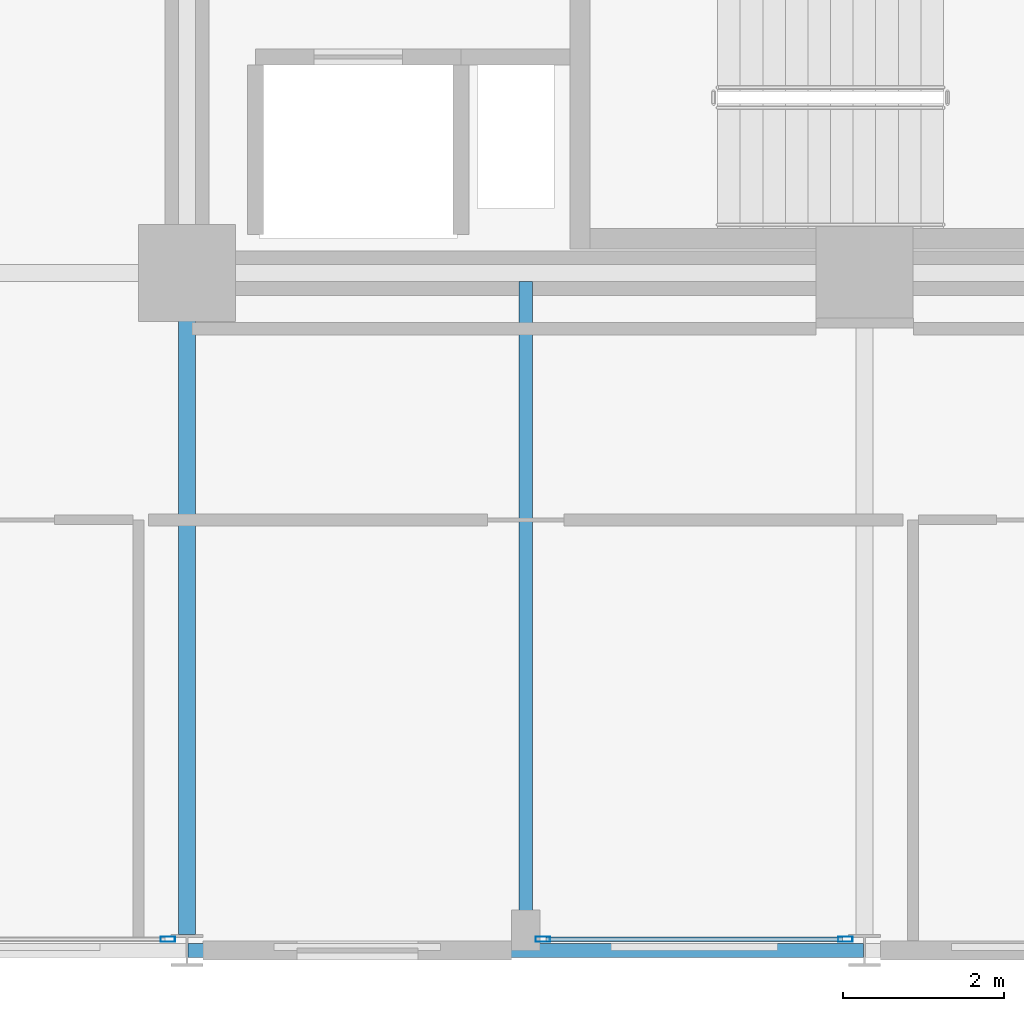
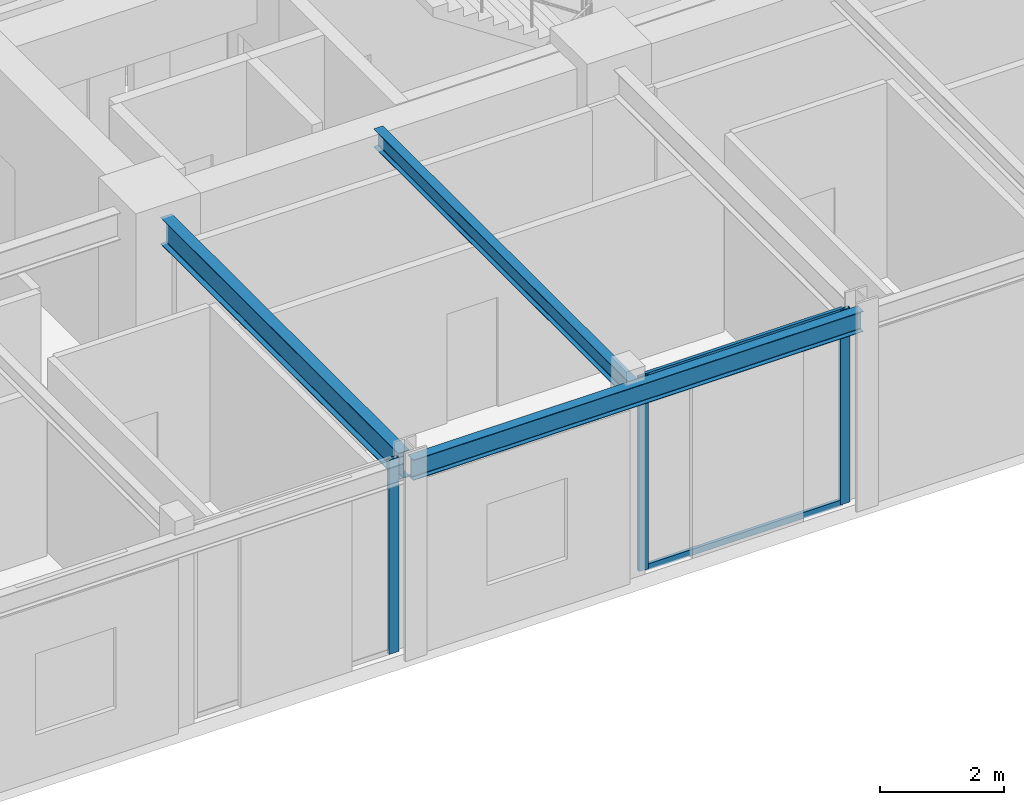
# One storey, part 6 of 29: 5 members, 3 beams, 2 elements without a shape of their own.
"""IFC4 building model written with IfcOpenShell, lengths in metres."""

from ifc_helpers import new_model, si_unit, direction, frame, origin, origin_2d, place, context, subcontext, project, spatial, hollow_rectangle, i_section, extrude, material, layer, layer_set, material_profile, profile_set, type_object, element, aggregate, save


model = new_model("IFC4")

# Units and contexts
model_context = context("Model", 3, precision=1e-05, world=origin(), true_north=direction((0.0, 1.0)))
body_context = subcontext(model_context, "Body", "Model", "MODEL_VIEW")
ifc_project = project(units=[si_unit("LENGTHUNIT", "METRE"), si_unit("AREAUNIT", "SQUARE_METRE"), si_unit("VOLUMEUNIT", "CUBIC_METRE"), si_unit("PLANEANGLEUNIT", "RADIAN"), si_unit("MASSUNIT", "GRAM", prefix="KILO")], contexts=[model_context])

# Site, building, storey
site_placement = place(None, origin())
site = spatial("IfcSite", under=ifc_project, at=site_placement, CompositionType="ELEMENT")
building_placement = place(site_placement, origin())
building = spatial("IfcBuilding", under=site, at=building_placement, Name="Nerrivon Quay Data Exchange", CompositionType="ELEMENT")
storey_placement = place(building_placement, frame((0.0, 0.0, 125.39990234375)))
storey = spatial("IfcBuildingStorey", under=building, at=storey_placement, Name="L29", CompositionType="ELEMENT", Elevation=125.39990234375)

# Beams
ifc_material_1 = material(Name="Steel Grade 350", Category="steel")
ifc_material_profile_1 = material_profile(ifc_material_1, i_section(OverallWidth=0.208984375, OverallDepth=0.528076171875, WebThickness=0.009521484375, FlangeThickness=0.01318359375, FilletRadius=0.013916015625, at=origin_2d()), Name="530UB82.0")
ifc_profile_set_1 = profile_set([ifc_material_profile_1], Name="Steel Grade 350")
beam_type_1 = type_object("IfcBeamType", Name="BM-G4-530UB82", PredefinedType="BEAM", material=ifc_profile_set_1)
beam_1_placement = place(storey_placement, frame((16.800048828125, 0.199951171875, 3.56103515625), z_axis=(0.0, 1.0, 0.0), x_axis=(-1.0, 0.0, 0.0)))
element("IfcBeam", 1, at=beam_1_placement, inside=storey, type_object=beam_type_1, Name="L29 NS Girder X=16.8 (0.0..8.4)", PredefinedType="BEAM", context=body_context, shape_type="SweptSolid", body=[
    extrude(i_section(OverallWidth=0.208984375, OverallDepth=0.528076171875, WebThickness=0.009521484375, FlangeThickness=0.01318359375, FilletRadius=0.013916015625, at=origin_2d()), origin(), (0.0, 0.0, 1.0), 7.66015625),
])
ifc_material_profile_2 = material_profile(ifc_material_1, i_section(OverallWidth=0.1708984375, OverallDepth=0.35595703125, WebThickness=0.00732421875, FlangeThickness=0.011474609375, FilletRadius=0.011474609375, at=origin_2d()), Name="360UB50.7")
ifc_profile_set_2 = profile_set([ifc_material_profile_2], Name="Steel Grade 350")
beam_type_2 = type_object("IfcBeamType", Name="BM-J4-360UB51", PredefinedType="JOIST", material=ifc_profile_set_2)
beam_2_placement = place(storey_placement, frame((21.0, 0.089111328125, 3.647216796875), z_axis=(0.0, 1.0, 0.0), x_axis=(-1.0, 0.0, 0.0)))
element("IfcBeam", 2, at=beam_2_placement, inside=storey, type_object=beam_type_2, Name="L29 Secondary Joist X=21.0 (0.0..8.4)", PredefinedType="JOIST", context=body_context, shape_type="SweptSolid", body=[
    extrude(i_section(OverallWidth=0.1708984375, OverallDepth=0.35595703125, WebThickness=0.00732421875, FlangeThickness=0.011474609375, FilletRadius=0.011474609375, at=origin_2d()), origin(), (0.0, 0.0, 1.0), 8.206298828125),
])
ifc_material_profile_3 = material_profile(ifc_material_1, i_section(OverallWidth=0.177978515625, OverallDepth=0.403076171875, WebThickness=0.007568359375, FlangeThickness=0.010986328125, FilletRadius=0.011474609375, at=origin_2d()), Name="410UB53.7")
ifc_profile_set_3 = profile_set([ifc_material_profile_3], Name="Steel Grade 350")
beam_type_3 = type_object("IfcBeamType", Name="BM-SP2-410UB54", PredefinedType="SPANDREL", material=ifc_profile_set_3)
beam_3_placement = place(storey_placement, frame((16.8125, 0.0, 3.62353515625), z_axis=(1.0, 0.0, 0.0), x_axis=(0.0, 1.0, 0.0)))
element("IfcBeam", 3, at=beam_3_placement, inside=storey, type_object=beam_type_3, Name="L29 EW Girder Y=0.0 (16.8..25.2)", PredefinedType="SPANDREL", context=body_context, shape_type="SweptSolid", body=[
    extrude(i_section(OverallWidth=0.177978515625, OverallDepth=0.403076171875, WebThickness=0.007568359375, FlangeThickness=0.010986328125, FilletRadius=0.011474609375, at=origin_2d()), origin(), (0.0, 0.0, 1.0), 8.375),
])

# Curtain wall, members
ifc_material_2 = material(Name="Anodised aluminium 6063-T6", Category="aluminium")
ifc_layer = layer(ifc_material_2, 0.2099609375)
ifc_layer_set = layer_set([ifc_layer], Name="Anodised aluminium 6063-T6")
curtain_wall_type = type_object("IfcCurtainWallType", Name="CW-SYS-02", PredefinedType="NOTDEFINED", material=ifc_layer_set)
curtain_wall_1_placement = place(storey_placement, origin())
curtain_wall_1 = element("IfcCurtainWall", 4, at=curtain_wall_1_placement, inside=storey, type_object=curtain_wall_type, Name="L29 Unitised Curtain Wall 4", PredefinedType="NOTDEFINED")
ifc_material_profile_4 = material_profile(ifc_material_2, hollow_rectangle(XDim=0.06494140625, YDim=0.179931640625, WallThickness=0.00341796875, at=origin_2d()), Name="ALU-MULL-180x65")
ifc_profile_set_4 = profile_set([ifc_material_profile_4], Name="Anodised aluminium 6063-T6")
member_type_1 = type_object("IfcMemberType", Name="CWM-180x65", PredefinedType="MULLION", material=ifc_profile_set_4)
member_1_placement = place(storey_placement, frame((24.96240234375, 0.139892578125, 0.0), z_axis=(0.0, 0.0, 1.0), x_axis=(0.0, -1.0, 0.0)))
member_1 = element("IfcMember", 5, at=member_1_placement, type_object=member_type_1, Name="CW02 mullion 1", PredefinedType="MULLION", context=body_context, shape_type="SweptSolid", body=[
    extrude(hollow_rectangle(XDim=0.06494140625, YDim=0.179931640625, WallThickness=0.00341796875, at=origin_2d()), origin(), (0.0, 0.0, 1.0), 3.8251953125),
])
member_2_placement = place(storey_placement, frame((21.21240234375, 0.139892578125, 0.0), z_axis=(0.0, 0.0, 1.0), x_axis=(0.0, -1.0, 0.0)))
member_2 = element("IfcMember", 6, at=member_2_placement, type_object=member_type_1, Name="CW02 mullion 2", PredefinedType="MULLION", context=body_context, shape_type="SweptSolid", body=[
    extrude(hollow_rectangle(XDim=0.06494140625, YDim=0.179931640625, WallThickness=0.00341796875, at=origin_2d()), origin(), (0.0, 0.0, 1.0), 3.8251953125),
])

# Curtain wall, member
curtain_wall_2_placement = place(storey_placement, origin())
curtain_wall_2 = element("IfcCurtainWall", 7, at=curtain_wall_2_placement, inside=storey, type_object=curtain_wall_type, Name="L29 Unitised Curtain Wall 6", PredefinedType="NOTDEFINED")
member_3_placement = place(storey_placement, frame((16.5625, 0.139892578125, 0.0), z_axis=(0.0, 0.0, 1.0), x_axis=(0.0, -1.0, 0.0)))
member_3 = element("IfcMember", 8, at=member_3_placement, type_object=member_type_1, Name="CW02 mullion 1", PredefinedType="MULLION", context=body_context, shape_type="SweptSolid", body=[
    extrude(hollow_rectangle(XDim=0.06494140625, YDim=0.179931640625, WallThickness=0.00341796875, at=origin_2d()), origin(), (0.0, 0.0, 1.0), 3.8251953125),
])
aggregate(curtain_wall_2, [member_3])

# Member
ifc_material_profile_5 = material_profile(ifc_material_2, hollow_rectangle(XDim=0.06005859375, YDim=0.1201171875, WallThickness=0.003173828125, at=origin_2d()), Name="ALU-TRAN-120x60")
ifc_profile_set_5 = profile_set([ifc_material_profile_5], Name="Anodised aluminium 6063-T6")
member_type_2 = type_object("IfcMemberType", Name="CWT-120x60", PredefinedType="USERDEFINED", material=ifc_profile_set_5)
member_4_placement = place(storey_placement, frame((24.925048828125, 0.139892578125, 0.03271484375), z_axis=(-1.0, 0.0, 0.0), x_axis=(0.0, -1.0, 0.0)))
member_4 = element("IfcMember", 9, at=member_4_placement, type_object=member_type_2, Name="CW02 transom 1.1", ObjectType="TRANSOM", PredefinedType="USERDEFINED", context=body_context, shape_type="SweptSolid", body=[
    extrude(hollow_rectangle(XDim=0.06005859375, YDim=0.1201171875, WallThickness=0.003173828125, at=origin_2d()), origin(), (0.0, 0.0, 1.0), 3.675048828125),
])

member_5_placement = place(storey_placement, frame((24.925048828125, 0.139892578125, 3.79248046875), z_axis=(-1.0, 0.0, 0.0), x_axis=(0.0, -1.0, 0.0)))
member_5 = element("IfcMember", 10, at=member_5_placement, type_object=member_type_2, Name="CW02 transom 1.2", ObjectType="TRANSOM", PredefinedType="USERDEFINED", context=body_context, shape_type="SweptSolid", body=[
    extrude(hollow_rectangle(XDim=0.06005859375, YDim=0.1201171875, WallThickness=0.003173828125, at=origin_2d()), origin(), (0.0, 0.0, 1.0), 3.675048828125),
])

aggregate(curtain_wall_1, [member_1, member_2, member_4, member_5])

save(model, "model.ifc")
